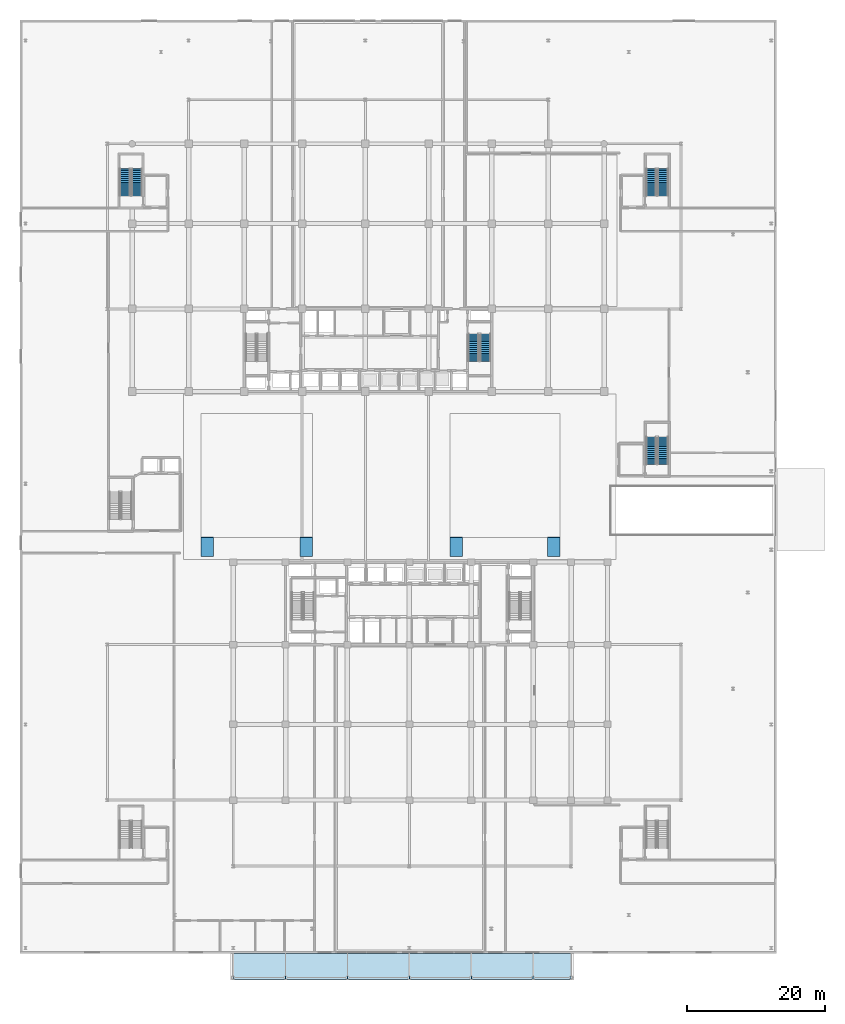
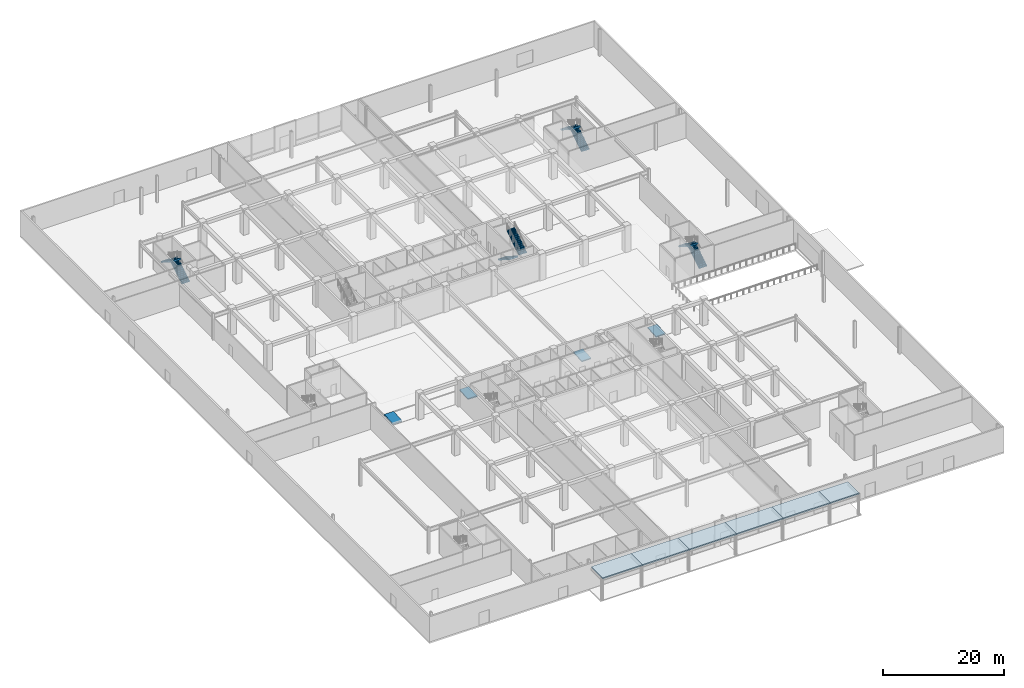
# One storey, part 32 of 46: 8 stair flights, 6 roofs, 4 ramp flights, 8 elements without a shape of their own.
"""IFC4 building model written with IfcOpenShell, lengths in metres."""

from ifc_helpers import new_model, si_unit, direction, frame, origin, place, context, subcontext, project, spatial, polyline, outline, extrude, material, layer, layer_set, type_object, element, aggregate, save


model = new_model("IFC4")

# Units and contexts
model_context = context("Model", 3, precision=1e-05, world=origin(), true_north=direction((0.0, 1.0)))
body_context = subcontext(model_context, "Body", "Model", "MODEL_VIEW")
ifc_project = project(units=[si_unit("LENGTHUNIT", "METRE"), si_unit("AREAUNIT", "SQUARE_METRE"), si_unit("VOLUMEUNIT", "CUBIC_METRE"), si_unit("PLANEANGLEUNIT", "RADIAN"), si_unit("MASSUNIT", "GRAM", prefix="KILO")], contexts=[model_context])

# Site, building, storey
site_placement = place(None, origin())
site = spatial("IfcSite", under=ifc_project, at=site_placement, CompositionType="ELEMENT")
building_placement = place(site_placement, origin())
building = spatial("IfcBuilding", under=site, at=building_placement, Name="Korimba Cascade Residences", CompositionType="ELEMENT")
storey_placement = place(building_placement, origin())
storey = spatial("IfcBuildingStorey", under=building, at=storey_placement, Name="L00", CompositionType="ELEMENT", Elevation=0.0)

# Stair, stair flights
ifc_material_1 = material(Name="Concrete C50/60", Category="concrete")
stair_type_1 = type_object("IfcStairType", Name="STR-W2-30R-1800", PredefinedType="HALF_TURN_STAIR", material=ifc_material_1)
stair_1_placement = place(storey_placement, origin())
stair_1 = element("IfcStair", 1, at=stair_1_placement, inside=storey, type_object=stair_type_1, Name="L00 Tower 1 East Fire Stair ST-W2", PredefinedType="HALF_TURN_STAIR")
stair_flight_type = type_object("IfcStairFlightType", Name="STF-DL-30R-1800-1520", PredefinedType="STRAIGHT", material=ifc_material_1)
stair_flight_1_placement = place(storey_placement, frame((109.419921875, 63.550048828125, 0.0), z_axis=(0.0, 0.0, 1.0), x_axis=(0.0, -1.0, 0.0)))
stair_flight_1 = element("IfcStairFlight", 2, at=stair_flight_1_placement, type_object=stair_flight_type, Name="ST-W2 flight 1", NumberOfRisers=15, NumberOfTreads=14, PredefinedType="STRAIGHT", RiserHeight=0.18, TreadLength=0.28, context=body_context, shape_type="SweptSolid", body=[
    extrude(outline(polyline([(-0.0380859375, 0.0), (0.0, 0.179931640625), (0.280029296875, 0.179931640625), (0.280029296875, 0.360107421875), (0.56005859375, 0.360107421875), (0.56005859375, 0.5400390625), (0.840087890625, 0.5400390625), (0.840087890625, 0.719970703125), (1.1201171875, 0.719970703125), (1.1201171875, 0.89990234375), (1.39990234375, 0.89990234375), (1.39990234375, 1.080078125), (1.679931640625, 1.080078125), (1.679931640625, 1.260009765625), (1.9599609375, 1.260009765625), (1.9599609375, 1.43994140625), (2.239990234375, 1.43994140625), (2.239990234375, 1.6201171875), (2.52001953125, 1.6201171875), (2.52001953125, 1.800048828125), (2.800048828125, 1.800048828125), (2.800048828125, 1.97998046875), (3.080078125, 1.97998046875), (3.080078125, 2.159912109375), (3.360107421875, 2.159912109375), (3.360107421875, 2.340087890625), (3.639892578125, 2.340087890625), (3.639892578125, 2.52001953125), (3.919921875, 2.52001953125), (3.919921875, 2.699951171875), (3.9580078125, 2.699951171875), (3.9580078125, 2.341796875), (0.277099609375, 0.0), (0.277099609375, -0.0380859375), (-0.0380859375, -0.0380859375), (-0.0380859375, 0.0)])), frame((0.0, 0.760009765625, 0.0), z_axis=(0.0, -1.0, 0.0), x_axis=(1.0, 0.0, 0.0)), (0.0, 0.0, 1.0), 1.52001953125),
])
stair_flight_2_placement = place(storey_placement, frame((111.139892578125, 59.6298828125, 2.699951171875), z_axis=(0.0, 0.0, 1.0), x_axis=(0.0, 1.0, 0.0)))
stair_flight_2 = element("IfcStairFlight", 3, at=stair_flight_2_placement, type_object=stair_flight_type, Name="ST-W2 flight 2", NumberOfRisers=15, NumberOfTreads=14, PredefinedType="STRAIGHT", RiserHeight=0.18, TreadLength=0.28, context=body_context, shape_type="SweptSolid", body=[
    extrude(outline(polyline([(-0.0380859375, 0.0), (0.0, 0.179931640625), (0.280029296875, 0.179931640625), (0.280029296875, 0.360107421875), (0.56005859375, 0.360107421875), (0.56005859375, 0.5400390625), (0.840087890625, 0.5400390625), (0.840087890625, 0.719970703125), (1.1201171875, 0.719970703125), (1.1201171875, 0.89990234375), (1.39990234375, 0.89990234375), (1.39990234375, 1.080078125), (1.679931640625, 1.080078125), (1.679931640625, 1.260009765625), (1.9599609375, 1.260009765625), (1.9599609375, 1.43994140625), (2.239990234375, 1.43994140625), (2.239990234375, 1.6201171875), (2.52001953125, 1.6201171875), (2.52001953125, 1.800048828125), (2.800048828125, 1.800048828125), (2.800048828125, 1.97998046875), (3.080078125, 1.97998046875), (3.080078125, 2.159912109375), (3.360107421875, 2.159912109375), (3.360107421875, 2.340087890625), (3.639892578125, 2.340087890625), (3.639892578125, 2.52001953125), (3.919921875, 2.52001953125), (3.919921875, 2.699951171875), (3.9580078125, 2.699951171875), (3.9580078125, 2.341796875), (0.277099609375, 0.0), (0.277099609375, -0.0380859375), (-0.0380859375, -0.0380859375), (-0.0380859375, 0.0)])), frame((0.0, 0.760009765625, 0.0), z_axis=(0.0, -1.0, 0.0), x_axis=(1.0, 0.0, 0.0)), (0.0, 0.0, 1.0), 1.52001953125),
])
aggregate(stair_1, [stair_flight_1, stair_flight_2])

stair_type_2 = type_object("IfcStairType", Name="STR-P2-30R-1800", PredefinedType="HALF_TURN_STAIR", material=ifc_material_1)
stair_2_placement = place(storey_placement, origin())
stair_2 = element("IfcStair", 4, at=stair_2_placement, inside=storey, type_object=stair_type_2, Name="L00 Podium East Fire Stair ST-P2", PredefinedType="HALF_TURN_STAIR")
stair_flight_3_placement = place(storey_placement, frame((136.97998046875, 44.64990234375, 0.0), z_axis=(0.0, 0.0, 1.0), x_axis=(0.0, 1.0, 0.0)))
stair_flight_3 = element("IfcStairFlight", 5, at=stair_flight_3_placement, type_object=stair_flight_type, Name="ST-P2 flight 1", NumberOfRisers=15, NumberOfTreads=14, PredefinedType="STRAIGHT", RiserHeight=0.18, TreadLength=0.28, context=body_context, shape_type="SweptSolid", body=[
    extrude(outline(polyline([(-0.0380859375, 0.0), (0.0, 0.179931640625), (0.280029296875, 0.179931640625), (0.280029296875, 0.360107421875), (0.56005859375, 0.360107421875), (0.56005859375, 0.5400390625), (0.840087890625, 0.5400390625), (0.840087890625, 0.719970703125), (1.1201171875, 0.719970703125), (1.1201171875, 0.89990234375), (1.39990234375, 0.89990234375), (1.39990234375, 1.080078125), (1.679931640625, 1.080078125), (1.679931640625, 1.260009765625), (1.9599609375, 1.260009765625), (1.9599609375, 1.43994140625), (2.239990234375, 1.43994140625), (2.239990234375, 1.6201171875), (2.52001953125, 1.6201171875), (2.52001953125, 1.800048828125), (2.800048828125, 1.800048828125), (2.800048828125, 1.97998046875), (3.080078125, 1.97998046875), (3.080078125, 2.159912109375), (3.360107421875, 2.159912109375), (3.360107421875, 2.340087890625), (3.639892578125, 2.340087890625), (3.639892578125, 2.52001953125), (3.919921875, 2.52001953125), (3.919921875, 2.699951171875), (3.9580078125, 2.699951171875), (3.9580078125, 2.341796875), (0.277099609375, 0.0), (0.277099609375, -0.0380859375), (-0.0380859375, -0.0380859375), (-0.0380859375, 0.0)])), frame((0.0, 0.760009765625, 0.0), z_axis=(0.0, -1.0, 0.0), x_axis=(1.0, 0.0, 0.0)), (0.0, 0.0, 1.0), 1.52001953125),
])
stair_flight_4_placement = place(storey_placement, frame((135.260009765625, 48.570068359375, 2.699951171875), z_axis=(0.0, 0.0, 1.0), x_axis=(0.0, -1.0, 0.0)))
stair_flight_4 = element("IfcStairFlight", 6, at=stair_flight_4_placement, type_object=stair_flight_type, Name="ST-P2 flight 2", NumberOfRisers=15, NumberOfTreads=14, PredefinedType="STRAIGHT", RiserHeight=0.18, TreadLength=0.28, context=body_context, shape_type="SweptSolid", body=[
    extrude(outline(polyline([(-0.0380859375, 0.0), (0.0, 0.179931640625), (0.280029296875, 0.179931640625), (0.280029296875, 0.360107421875), (0.56005859375, 0.360107421875), (0.56005859375, 0.5400390625), (0.840087890625, 0.5400390625), (0.840087890625, 0.719970703125), (1.1201171875, 0.719970703125), (1.1201171875, 0.89990234375), (1.39990234375, 0.89990234375), (1.39990234375, 1.080078125), (1.679931640625, 1.080078125), (1.679931640625, 1.260009765625), (1.9599609375, 1.260009765625), (1.9599609375, 1.43994140625), (2.239990234375, 1.43994140625), (2.239990234375, 1.6201171875), (2.52001953125, 1.6201171875), (2.52001953125, 1.800048828125), (2.800048828125, 1.800048828125), (2.800048828125, 1.97998046875), (3.080078125, 1.97998046875), (3.080078125, 2.159912109375), (3.360107421875, 2.159912109375), (3.360107421875, 2.340087890625), (3.639892578125, 2.340087890625), (3.639892578125, 2.52001953125), (3.919921875, 2.52001953125), (3.919921875, 2.699951171875), (3.9580078125, 2.699951171875), (3.9580078125, 2.341796875), (0.277099609375, 0.0), (0.277099609375, -0.0380859375), (-0.0380859375, -0.0380859375), (-0.0380859375, 0.0)])), frame((0.0, 0.760009765625, 0.0), z_axis=(0.0, -1.0, 0.0), x_axis=(1.0, 0.0, 0.0)), (0.0, 0.0, 1.0), 1.52001953125),
])
aggregate(stair_2, [stair_flight_3, stair_flight_4])

stair_type_3 = type_object("IfcStairType", Name="STR-P4-30R-1800", PredefinedType="HALF_TURN_STAIR", material=ifc_material_1)
stair_3_placement = place(storey_placement, origin())
stair_3 = element("IfcStair", 7, at=stair_3_placement, inside=storey, type_object=stair_type_3, Name="L00 Podium North-East Corner Fire Stair ST-P4", PredefinedType="HALF_TURN_STAIR")
stair_flight_5_placement = place(storey_placement, frame((136.97998046875, 83.64990234375, 0.0), z_axis=(0.0, 0.0, 1.0), x_axis=(0.0, 1.0, 0.0)))
stair_flight_5 = element("IfcStairFlight", 8, at=stair_flight_5_placement, type_object=stair_flight_type, Name="ST-P4 flight 1", NumberOfRisers=15, NumberOfTreads=14, PredefinedType="STRAIGHT", RiserHeight=0.18, TreadLength=0.28, context=body_context, shape_type="SweptSolid", body=[
    extrude(outline(polyline([(-0.0380859375, 0.0), (0.0, 0.179931640625), (0.280029296875, 0.179931640625), (0.280029296875, 0.360107421875), (0.56005859375, 0.360107421875), (0.56005859375, 0.5400390625), (0.840087890625, 0.5400390625), (0.840087890625, 0.719970703125), (1.1201171875, 0.719970703125), (1.1201171875, 0.89990234375), (1.39990234375, 0.89990234375), (1.39990234375, 1.080078125), (1.679931640625, 1.080078125), (1.679931640625, 1.260009765625), (1.9599609375, 1.260009765625), (1.9599609375, 1.43994140625), (2.239990234375, 1.43994140625), (2.239990234375, 1.6201171875), (2.52001953125, 1.6201171875), (2.52001953125, 1.800048828125), (2.800048828125, 1.800048828125), (2.800048828125, 1.97998046875), (3.080078125, 1.97998046875), (3.080078125, 2.159912109375), (3.360107421875, 2.159912109375), (3.360107421875, 2.340087890625), (3.639892578125, 2.340087890625), (3.639892578125, 2.52001953125), (3.919921875, 2.52001953125), (3.919921875, 2.699951171875), (3.9580078125, 2.699951171875), (3.9580078125, 2.341796875), (0.277099609375, 0.0), (0.277099609375, -0.0380859375), (-0.0380859375, -0.0380859375), (-0.0380859375, 0.0)])), frame((0.0, 0.760009765625, 0.0), z_axis=(0.0, -1.0, 0.0), x_axis=(1.0, 0.0, 0.0)), (0.0, 0.0, 1.0), 1.52001953125),
])
stair_flight_6_placement = place(storey_placement, frame((135.260009765625, 87.570068359375, 2.699951171875), z_axis=(0.0, 0.0, 1.0), x_axis=(0.0, -1.0, 0.0)))
stair_flight_6 = element("IfcStairFlight", 9, at=stair_flight_6_placement, type_object=stair_flight_type, Name="ST-P4 flight 2", NumberOfRisers=15, NumberOfTreads=14, PredefinedType="STRAIGHT", RiserHeight=0.18, TreadLength=0.28, context=body_context, shape_type="SweptSolid", body=[
    extrude(outline(polyline([(-0.0380859375, 0.0), (0.0, 0.179931640625), (0.280029296875, 0.179931640625), (0.280029296875, 0.360107421875), (0.56005859375, 0.360107421875), (0.56005859375, 0.5400390625), (0.840087890625, 0.5400390625), (0.840087890625, 0.719970703125), (1.1201171875, 0.719970703125), (1.1201171875, 0.89990234375), (1.39990234375, 0.89990234375), (1.39990234375, 1.080078125), (1.679931640625, 1.080078125), (1.679931640625, 1.260009765625), (1.9599609375, 1.260009765625), (1.9599609375, 1.43994140625), (2.239990234375, 1.43994140625), (2.239990234375, 1.6201171875), (2.52001953125, 1.6201171875), (2.52001953125, 1.800048828125), (2.800048828125, 1.800048828125), (2.800048828125, 1.97998046875), (3.080078125, 1.97998046875), (3.080078125, 2.159912109375), (3.360107421875, 2.159912109375), (3.360107421875, 2.340087890625), (3.639892578125, 2.340087890625), (3.639892578125, 2.52001953125), (3.919921875, 2.52001953125), (3.919921875, 2.699951171875), (3.9580078125, 2.699951171875), (3.9580078125, 2.341796875), (0.277099609375, 0.0), (0.277099609375, -0.0380859375), (-0.0380859375, -0.0380859375), (-0.0380859375, 0.0)])), frame((0.0, 0.760009765625, 0.0), z_axis=(0.0, -1.0, 0.0), x_axis=(1.0, 0.0, 0.0)), (0.0, 0.0, 1.0), 1.52001953125),
])
aggregate(stair_3, [stair_flight_5, stair_flight_6])

stair_type_4 = type_object("IfcStairType", Name="STR-P5-30R-1800", PredefinedType="HALF_TURN_STAIR", material=ifc_material_1)
stair_4_placement = place(storey_placement, origin())
stair_4 = element("IfcStair", 10, at=stair_4_placement, inside=storey, type_object=stair_type_4, Name="L00 Podium North-West Corner Fire Stair ST-P5", PredefinedType="HALF_TURN_STAIR")
stair_flight_7_placement = place(storey_placement, frame((60.47998046875, 83.64990234375, 0.0), z_axis=(0.0, 0.0, 1.0), x_axis=(0.0, 1.0, 0.0)))
stair_flight_7 = element("IfcStairFlight", 11, at=stair_flight_7_placement, type_object=stair_flight_type, Name="ST-P5 flight 1", NumberOfRisers=15, NumberOfTreads=14, PredefinedType="STRAIGHT", RiserHeight=0.18, TreadLength=0.28, context=body_context, shape_type="SweptSolid", body=[
    extrude(outline(polyline([(-0.0380859375, 0.0), (0.0, 0.179931640625), (0.280029296875, 0.179931640625), (0.280029296875, 0.360107421875), (0.56005859375, 0.360107421875), (0.56005859375, 0.5400390625), (0.840087890625, 0.5400390625), (0.840087890625, 0.719970703125), (1.1201171875, 0.719970703125), (1.1201171875, 0.89990234375), (1.39990234375, 0.89990234375), (1.39990234375, 1.080078125), (1.679931640625, 1.080078125), (1.679931640625, 1.260009765625), (1.9599609375, 1.260009765625), (1.9599609375, 1.43994140625), (2.239990234375, 1.43994140625), (2.239990234375, 1.6201171875), (2.52001953125, 1.6201171875), (2.52001953125, 1.800048828125), (2.800048828125, 1.800048828125), (2.800048828125, 1.97998046875), (3.080078125, 1.97998046875), (3.080078125, 2.159912109375), (3.360107421875, 2.159912109375), (3.360107421875, 2.340087890625), (3.639892578125, 2.340087890625), (3.639892578125, 2.52001953125), (3.919921875, 2.52001953125), (3.919921875, 2.699951171875), (3.9580078125, 2.699951171875), (3.9580078125, 2.341796875), (0.277099609375, 0.0), (0.277099609375, -0.0380859375), (-0.0380859375, -0.0380859375), (-0.0380859375, 0.0)])), frame((0.0, 0.760009765625, 0.0), z_axis=(0.0, -1.0, 0.0), x_axis=(1.0, 0.0, 0.0)), (0.0, 0.0, 1.0), 1.52001953125),
])
stair_flight_8_placement = place(storey_placement, frame((58.760009765625, 87.570068359375, 2.699951171875), z_axis=(0.0, 0.0, 1.0), x_axis=(0.0, -1.0, 0.0)))
stair_flight_8 = element("IfcStairFlight", 12, at=stair_flight_8_placement, type_object=stair_flight_type, Name="ST-P5 flight 2", NumberOfRisers=15, NumberOfTreads=14, PredefinedType="STRAIGHT", RiserHeight=0.18, TreadLength=0.28, context=body_context, shape_type="SweptSolid", body=[
    extrude(outline(polyline([(-0.0380859375, 0.0), (0.0, 0.179931640625), (0.280029296875, 0.179931640625), (0.280029296875, 0.360107421875), (0.56005859375, 0.360107421875), (0.56005859375, 0.5400390625), (0.840087890625, 0.5400390625), (0.840087890625, 0.719970703125), (1.1201171875, 0.719970703125), (1.1201171875, 0.89990234375), (1.39990234375, 0.89990234375), (1.39990234375, 1.080078125), (1.679931640625, 1.080078125), (1.679931640625, 1.260009765625), (1.9599609375, 1.260009765625), (1.9599609375, 1.43994140625), (2.239990234375, 1.43994140625), (2.239990234375, 1.6201171875), (2.52001953125, 1.6201171875), (2.52001953125, 1.800048828125), (2.800048828125, 1.800048828125), (2.800048828125, 1.97998046875), (3.080078125, 1.97998046875), (3.080078125, 2.159912109375), (3.360107421875, 2.159912109375), (3.360107421875, 2.340087890625), (3.639892578125, 2.340087890625), (3.639892578125, 2.52001953125), (3.919921875, 2.52001953125), (3.919921875, 2.699951171875), (3.9580078125, 2.699951171875), (3.9580078125, 2.341796875), (0.277099609375, 0.0), (0.277099609375, -0.0380859375), (-0.0380859375, -0.0380859375), (-0.0380859375, 0.0)])), frame((0.0, 0.760009765625, 0.0), z_axis=(0.0, -1.0, 0.0), x_axis=(1.0, 0.0, 0.0)), (0.0, 0.0, 1.0), 1.52001953125),
])
aggregate(stair_4, [stair_flight_7, stair_flight_8])

# Ramp, ramp flight
ifc_material_2 = material(Name="Concrete C40/50", Category="concrete")
ramp_type = type_object("IfcRampType", Name="RMP-ACC-1800", PredefinedType="STRAIGHT_RUN_RAMP", material=ifc_material_2)
ramp_1_placement = place(storey_placement, origin())
ramp_1 = element("IfcRamp", 13, at=ramp_1_placement, inside=storey, type_object=ramp_type, material=ifc_material_2, Name="Accessible Concourse Ramp W1", PredefinedType="STRAIGHT_RUN_RAMP")
ifc_layer_1 = layer(ifc_material_2, 0.219970703125)
ifc_layer_set_1 = layer_set([ifc_layer_1], Name="Concrete C40/50")
ramp_flight_type = type_object("IfcRampFlightType", Name="RMPF-ACC-220", PredefinedType="STRAIGHT", material=ifc_layer_set_1)
ramp_flight_1_placement = place(storey_placement, frame((69.800048828125, 31.199951171875, 0.0), z_axis=(0.0, -0.071228508128, 0.997460024076), x_axis=(1.0, 0.0, 0.0)))
ramp_flight_1 = element("IfcRampFlight", 14, at=ramp_flight_1_placement, type_object=ramp_flight_type, material=ifc_material_2, Name="Accessible Concourse Ramp Flight W1", PredefinedType="STRAIGHT", context=body_context, shape_type="SweptSolid", body=[
    extrude(outline(polyline([(0.0, 0.0), (1.800048828125, 0.0), (1.800048828125, 2.80712890625), (0.0, 2.80712890625), (0.0, 0.0)])), origin(), (0.0, 0.0, -1.0), 0.219970703125),
])
aggregate(ramp_1, [ramp_flight_1])

ramp_2_placement = place(storey_placement, origin())
ramp_2 = element("IfcRamp", 15, at=ramp_2_placement, inside=storey, type_object=ramp_type, material=ifc_material_2, Name="Accessible Concourse Ramp W2", PredefinedType="STRAIGHT_RUN_RAMP")
ramp_flight_2_placement = place(storey_placement, frame((84.199951171875, 31.199951171875, 0.0), z_axis=(0.0, -0.071228508128, 0.997460024076), x_axis=(1.0, 0.0, 0.0)))
ramp_flight_2 = element("IfcRampFlight", 16, at=ramp_flight_2_placement, type_object=ramp_flight_type, material=ifc_material_2, Name="Accessible Concourse Ramp Flight W2", PredefinedType="STRAIGHT", context=body_context, shape_type="SweptSolid", body=[
    extrude(outline(polyline([(0.0, 0.0), (1.800048828125, 0.0), (1.800048828125, 2.80712890625), (0.0, 2.80712890625), (0.0, 0.0)])), origin(), (0.0, 0.0, -1.0), 0.219970703125),
])
aggregate(ramp_2, [ramp_flight_2])

ramp_3_placement = place(storey_placement, origin())
ramp_3 = element("IfcRamp", 17, at=ramp_3_placement, inside=storey, type_object=ramp_type, material=ifc_material_2, Name="Accessible Concourse Ramp E1", PredefinedType="STRAIGHT_RUN_RAMP")
ramp_flight_3_placement = place(storey_placement, frame((106.0, 31.199951171875, 0.0), z_axis=(0.0, -0.071228508128, 0.997460024076), x_axis=(1.0, 0.0, 0.0)))
ramp_flight_3 = element("IfcRampFlight", 18, at=ramp_flight_3_placement, type_object=ramp_flight_type, material=ifc_material_2, Name="Accessible Concourse Ramp Flight E1", PredefinedType="STRAIGHT", context=body_context, shape_type="SweptSolid", body=[
    extrude(outline(polyline([(0.0, 0.0), (1.800048828125, 0.0), (1.800048828125, 2.80712890625), (0.0, 2.80712890625), (0.0, 0.0)])), origin(), (0.0, 0.0, -1.0), 0.219970703125),
])
aggregate(ramp_3, [ramp_flight_3])

ramp_4_placement = place(storey_placement, origin())
ramp_4 = element("IfcRamp", 19, at=ramp_4_placement, inside=storey, type_object=ramp_type, material=ifc_material_2, Name="Accessible Concourse Ramp E2", PredefinedType="STRAIGHT_RUN_RAMP")
ramp_flight_4_placement = place(storey_placement, frame((120.199951171875, 31.199951171875, 0.0), z_axis=(0.0, -0.071228508128, 0.997460024076), x_axis=(1.0, 0.0, 0.0)))
ramp_flight_4 = element("IfcRampFlight", 20, at=ramp_flight_4_placement, type_object=ramp_flight_type, material=ifc_material_2, Name="Accessible Concourse Ramp Flight E2", PredefinedType="STRAIGHT", context=body_context, shape_type="SweptSolid", body=[
    extrude(outline(polyline([(0.0, 0.0), (1.800048828125, 0.0), (1.800048828125, 2.80712890625), (0.0, 2.80712890625), (0.0, 0.0)])), origin(), (0.0, 0.0, -1.0), 0.219970703125),
])
aggregate(ramp_4, [ramp_flight_4])

# Roofs
ifc_material_3 = material(Name="Precast concrete C40/50", Category="concrete")
ifc_layer_2 = layer(ifc_material_3, 0.239990234375)
ifc_layer_set_2 = layer_set([ifc_layer_2], Name="Precast concrete C40/50")
roof_type = type_object("IfcRoofType", Name="ROOF-CANOPY", PredefinedType="FLAT_ROOF", material=ifc_layer_set_2)
roof_1_placement = place(storey_placement, frame((0.0, 0.0, 4.199951171875)))
element("IfcRoof", 21, at=roof_1_placement, inside=storey, type_object=roof_type, Name="Entrance Porte-Cochere Canopy Roof 1", PredefinedType="FLAT_ROOF", context=body_context, shape_type="SweptSolid", body=[
    extrude(outline(polyline([(74.5, -30.300048828125), (82.10009765625, -30.300048828125), (82.10009765625, -26.5), (74.5, -26.5), (74.5, -30.300048828125)])), origin(), (0.0, 0.0, 1.0), 0.239990234375),
])
roof_2_placement = place(storey_placement, frame((0.0, 0.0, 4.199951171875)))
element("IfcRoof", 22, at=roof_2_placement, inside=storey, type_object=roof_type, Name="Entrance Porte-Cochere Canopy Roof 2", PredefinedType="FLAT_ROOF", context=body_context, shape_type="SweptSolid", body=[
    extrude(outline(polyline([(82.10009765625, -30.300048828125), (91.10009765625, -30.300048828125), (91.10009765625, -26.5), (82.10009765625, -26.5), (82.10009765625, -30.300048828125)])), origin(), (0.0, 0.0, 1.0), 0.239990234375),
])
roof_3_placement = place(storey_placement, frame((0.0, 0.0, 4.199951171875)))
element("IfcRoof", 23, at=roof_3_placement, inside=storey, type_object=roof_type, Name="Entrance Porte-Cochere Canopy Roof 3", PredefinedType="FLAT_ROOF", context=body_context, shape_type="SweptSolid", body=[
    extrude(outline(polyline([(91.10009765625, -30.300048828125), (100.10009765625, -30.300048828125), (100.10009765625, -26.5), (91.10009765625, -26.5), (91.10009765625, -30.300048828125)])), origin(), (0.0, 0.0, 1.0), 0.239990234375),
])
roof_4_placement = place(storey_placement, frame((0.0, 0.0, 4.199951171875)))
element("IfcRoof", 24, at=roof_4_placement, inside=storey, type_object=roof_type, Name="Entrance Porte-Cochere Canopy Roof 4", PredefinedType="FLAT_ROOF", context=body_context, shape_type="SweptSolid", body=[
    extrude(outline(polyline([(100.10009765625, -30.300048828125), (109.10009765625, -30.300048828125), (109.10009765625, -26.5), (100.10009765625, -26.5), (100.10009765625, -30.300048828125)])), origin(), (0.0, 0.0, 1.0), 0.239990234375),
])
roof_5_placement = place(storey_placement, frame((0.0, 0.0, 4.199951171875)))
element("IfcRoof", 25, at=roof_5_placement, inside=storey, type_object=roof_type, Name="Entrance Porte-Cochere Canopy Roof 5", PredefinedType="FLAT_ROOF", context=body_context, shape_type="SweptSolid", body=[
    extrude(outline(polyline([(109.10009765625, -30.300048828125), (118.10009765625, -30.300048828125), (118.10009765625, -26.5), (109.10009765625, -26.5), (109.10009765625, -30.300048828125)])), origin(), (0.0, 0.0, 1.0), 0.239990234375),
])
roof_6_placement = place(storey_placement, frame((0.0, 0.0, 4.199951171875)))
element("IfcRoof", 26, at=roof_6_placement, inside=storey, type_object=roof_type, Name="Entrance Porte-Cochere Canopy Roof 6", PredefinedType="FLAT_ROOF", context=body_context, shape_type="SweptSolid", body=[
    extrude(outline(polyline([(118.10009765625, -30.300048828125), (123.60009765625, -30.300048828125), (123.60009765625, -26.5), (118.10009765625, -26.5), (118.10009765625, -30.300048828125)])), origin(), (0.0, 0.0, 1.0), 0.239990234375),
])

save(model, "model.ifc")
